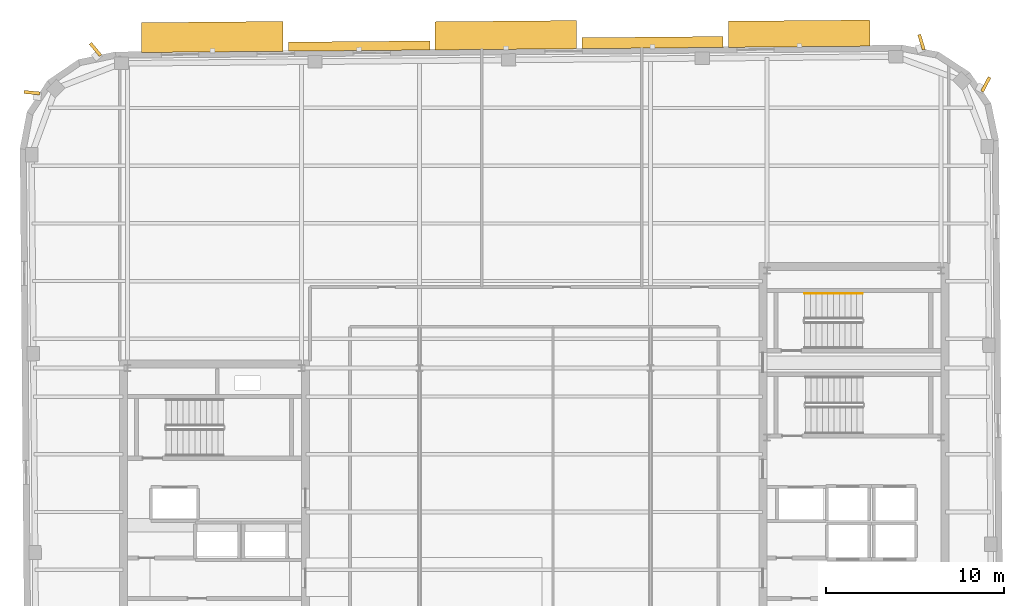
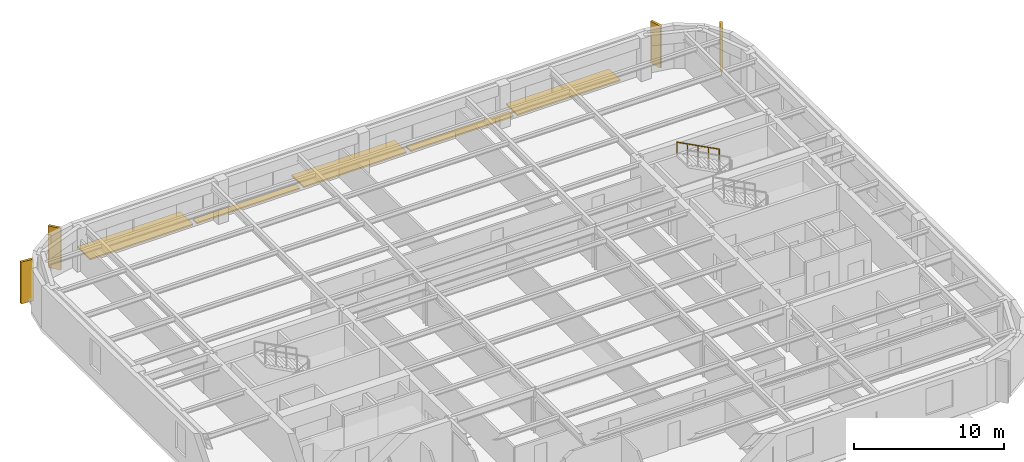
# One storey, part 15 of 15: 9 shading devices, 1 railing.
"""IFC4 building model written with IfcOpenShell, lengths in metres."""

import ifcopenshell
import ifcopenshell.guid

model = None  # the IFC model being written
_history = None  # IfcOwnerHistory: only IFC2X3 demands one
_inside = {}  # id of a spatial element -> (the spatial element, [elements in it])
_under = {}  # id of a project, library or spatial element -> (it, [spatial elements below it])
_declared = {}  # id of a project -> (the project, [libraries it declares])
_typed = {}  # id of a type object -> (the type object, [elements of that type])
_made_of = {}  # id of a material, layer set ... -> (it, [elements and type objects made of it])


def new_model(schema):
    """Start an empty IFC model of exactly this schema.

    Asked for "IFC4X3", IfcOpenShell would pick the latest addendum, in which some entities
    have other attributes; the version numbers below select the first issue.
    IFC2X3 requires an IfcOwnerHistory on every rooted entity: one is made here for all.
    """
    global model, _history
    if schema == "IFC4X3":
        model = ifcopenshell.file(schema_version=(4, 3, 0, 0))
    else:
        model = ifcopenshell.file(schema=schema)
    _inside.clear()
    _under.clear()
    _declared.clear()
    _typed.clear()
    _made_of.clear()
    _history = None
    if model.schema == "IFC2X3":
        org = make("IfcOrganization", Name="unknown")
        user = make(
            "IfcPersonAndOrganization",
            ThePerson=make("IfcPerson", FamilyName="unknown"),
            TheOrganization=org,
        )
        app = make(
            "IfcApplication",
            ApplicationDeveloper=org,
            Version="unknown",
            ApplicationFullName="unknown",
            ApplicationIdentifier="unknown",
        )
        _history = make(
            "IfcOwnerHistory",
            OwningUser=user,
            OwningApplication=app,
            ChangeAction="ADDED",
            CreationDate=0,
        )
    return model


def make(cls, **values):
    """One entity of the class cls with the attributes given. An attribute that is None is left unset."""
    return model.create_entity(
        cls, **{name: value for name, value in values.items() if value is not None}
    )


def rooted(cls, **values):
    """An entity with a GlobalId (a new one), such as an element, a storey or a relation."""
    return make(cls, GlobalId=ifcopenshell.guid.new(), OwnerHistory=_history, **values)


def si_unit(unit_type, name, prefix=None):
    """IfcSIUnit, for example si_unit("LENGTHUNIT", "METRE", prefix="MILLI")."""
    return make("IfcSIUnit", UnitType=unit_type, Prefix=prefix, Name=name)


def assignment(units):
    """IfcUnitAssignment: the units of a project."""
    return None if units is None else make("IfcUnitAssignment", Units=units)


def point(xyz):
    """IfcCartesianPoint."""
    return None if xyz is None else make("IfcCartesianPoint", Coordinates=xyz)


def direction(xyz):
    """IfcDirection."""
    return None if xyz is None else make("IfcDirection", DirectionRatios=xyz)


def frame(location, z_axis=None, x_axis=None):
    """IfcAxis2Placement3D, a coordinate frame: its origin and axes. An axis left out is left unset."""
    return make(
        "IfcAxis2Placement3D",
        Location=point(location),
        Axis=direction(z_axis),
        RefDirection=direction(x_axis),
    )


def frame_2d(location, x_axis=None):
    """IfcAxis2Placement2D, a coordinate frame in the plane: its origin and x axis."""
    return make(
        "IfcAxis2Placement2D", Location=point(location), RefDirection=direction(x_axis)
    )


def origin():
    """The frame at (0, 0, 0) with its axes left unset."""
    return frame((0.0, 0.0, 0.0))


def origin_2d():
    """The frame at (0, 0) in the plane with its x axis left unset."""
    return frame_2d((0.0, 0.0))


def place(relative_to, where):
    """IfcLocalPlacement: puts the frame where relative to a parent placement (None: the world)."""
    return make(
        "IfcLocalPlacement", PlacementRelTo=relative_to, RelativePlacement=where
    )


def context(
    kind, dimensions, precision=None, world=None, true_north=None, identifier=None
):
    """IfcGeometricRepresentationContext, for example the 3D "Model" context."""
    return make(
        "IfcGeometricRepresentationContext",
        ContextIdentifier=identifier,
        ContextType=kind,
        CoordinateSpaceDimension=dimensions,
        Precision=precision,
        WorldCoordinateSystem=world,
        TrueNorth=true_north,
    )


def subcontext(parent, identifier, kind, view, scale=None):
    """IfcGeometricRepresentationSubContext, for example "Body" below "Model"."""
    return make(
        "IfcGeometricRepresentationSubContext",
        ContextIdentifier=identifier,
        ContextType=kind,
        ParentContext=parent,
        TargetScale=scale,
        TargetView=view,
    )


def project(units=None, contexts=None):
    """IfcProject with its units and contexts."""
    return rooted(
        "IfcProject",
        Name="project",
        RepresentationContexts=contexts,
        UnitsInContext=assignment(units),
    )


def spatial(cls, under=None, at=None, **own):
    """A site, building, storey or space (cls), placed at a placement, below another one or the project."""
    s = rooted(cls, ObjectPlacement=at, **own)
    if under is not None:
        _under.setdefault(under.id(), (under, []))[1].append(s)
    return s


def profile(cls, at=None, kind="AREA", **sizes):
    """A parametric profile (cls). Its sizes go by their IFC names, for example OverallWidth=200.0."""
    return make(cls, ProfileType=kind, Position=at, **sizes)


def rectangle(**sizes):
    """IfcRectangleProfileDef."""
    return profile("IfcRectangleProfileDef", **sizes)


def circle(**sizes):
    """IfcCircleProfileDef."""
    return profile("IfcCircleProfileDef", **sizes)


def extrude(swept, where, along, depth):
    """IfcExtrudedAreaSolid: the profile swept, set in the frame where, extruded along a direction by depth."""
    return make(
        "IfcExtrudedAreaSolid",
        SweptArea=swept,
        Position=where,
        ExtrudedDirection=direction(along),
        Depth=depth,
    )


def shape(context_of_items, identifier, shape_type, items):
    """IfcShapeRepresentation: the items that make up one representation, for example the "Body"."""
    return make(
        "IfcShapeRepresentation",
        ContextOfItems=context_of_items,
        RepresentationIdentifier=identifier,
        RepresentationType=shape_type,
        Items=items,
    )


def material(Name=None, Category=None):
    """IfcMaterial."""
    return make("IfcMaterial", Name=Name, Category=Category)


def made_of(thing, what):
    """Note that an element or type object is made of a material, layer set ...; save() writes the relation."""
    if what is not None:
        _made_of.setdefault(what.id(), (what, []))[1].append(thing)
    return thing


def type_object(cls, material=None, **own):
    """A type object (cls), such as IfcWallType, which elements share."""
    return made_of(rooted(cls, **own), material)


def element(
    cls,
    number,
    at=None,
    inside=None,
    cuts=None,
    type_object=None,
    material=None,
    context=None,
    identifier="Body",
    shape_type=None,
    held_by="IfcProductDefinitionShape",
    body=None,
    shapes=None,
    **own,
):
    """One element of the class cls, such as IfcWall. Its Tag is "e" and its number.

    at: its placement. inside: the storey or other place that contains it. cuts: it is an
    opening in that element (IfcRelVoidsElement). A single representation is given by context,
    identifier, shape_type and body (its items); several are given by shapes. held_by: the class
    of the entity that holds the representations. save() writes the other relations.
    """
    e = rooted(cls, Tag="e%d" % number, ObjectPlacement=at, **own)
    if body is not None:
        shapes = [shape(context, identifier, shape_type, body)]
    if shapes is not None:
        e.Representation = make(held_by, Representations=shapes)
    if inside is not None:
        _inside.setdefault(inside.id(), (inside, []))[1].append(e)
    if cuts is not None:
        rooted(
            "IfcRelVoidsElement", RelatingBuildingElement=cuts, RelatedOpeningElement=e
        )
    if type_object is not None:
        _typed.setdefault(type_object.id(), (type_object, []))[1].append(e)
    return made_of(e, material)


def aggregate(whole, parts):
    """IfcRelAggregates: a whole, such as a stair, and the parts it consists of."""
    return rooted("IfcRelAggregates", RelatingObject=whole, RelatedObjects=parts)


def save(model, path):
    """Write the relations noted so far, then the file.

    IfcRelAggregates (storeys below a building ...), IfcRelContainedInSpatialStructure (elements
    in a storey), IfcRelDefinesByType, IfcRelAssociatesMaterial and IfcRelDeclares: one each for
    every whole, place, type object, material and project.
    """
    for whole, parts in _under.values():
        aggregate(whole, parts)
    for where, things in _inside.values():
        rooted(
            "IfcRelContainedInSpatialStructure",
            RelatedElements=things,
            RelatingStructure=where,
        )
    for kind, things in _typed.values():
        rooted("IfcRelDefinesByType", RelatedObjects=things, RelatingType=kind)
    for what, things in _made_of.values():
        rooted("IfcRelAssociatesMaterial", RelatedObjects=things, RelatingMaterial=what)
    for by, libraries in _declared.values():
        rooted("IfcRelDeclares", RelatingContext=by, RelatedDefinitions=libraries)
    model.write(path)


model = new_model("IFC4")

# Units and contexts
model_context = context("Model", 3, precision=1e-05, world=origin(), true_north=direction((0.0, 1.0)))
body_context = subcontext(model_context, "Body", "Model", "MODEL_VIEW")
ifc_project = project(units=[si_unit("LENGTHUNIT", "METRE"), si_unit("AREAUNIT", "SQUARE_METRE"), si_unit("VOLUMEUNIT", "CUBIC_METRE"), si_unit("PLANEANGLEUNIT", "RADIAN"), si_unit("MASSUNIT", "GRAM", prefix="KILO")], contexts=[model_context])

# Site, building, storey
site_placement = place(None, origin())
site = spatial("IfcSite", under=ifc_project, at=site_placement, CompositionType="ELEMENT")
building_placement = place(site_placement, origin())
building = spatial("IfcBuilding", under=site, at=building_placement, Name="Kolvaren Arena Tower", CompositionType="ELEMENT")
storey_placement = place(building_placement, frame((0.0, 0.0, 293.64990234375)))
storey = spatial("IfcBuildingStorey", under=building, at=storey_placement, Name="L72", CompositionType="ELEMENT", Elevation=293.64990234375)

# Railing
ifc_material_1 = material(Name="Brushed stainless steel handrail", Category="steel")
railing_type = type_object("IfcRailingType", Name="HRAIL-900", PredefinedType="HANDRAIL", material=ifc_material_1)
railing_placement = place(storey_placement, frame((55.919921875, 38.050048828125, 2.045654296875)))
element("IfcRailing", 1, at=railing_placement, inside=storey, type_object=railing_type, Name="L72 ST-E2 stair handrail 2", PredefinedType="HANDRAIL", context=body_context, shape_type="SweptSolid", body=[
    extrude(circle(Radius=0.02392578125, at=origin_2d()), frame((0.0, 0.0, 0.8759765625), z_axis=(-0.885020909582, 0.0, 0.465551274945), x_axis=(0.0, -1.0, 0.0)), (0.0, 0.0, 1.0), 3.660888671875),
    extrude(circle(Radius=0.02099609375, at=origin_2d()), origin(), (0.0, 0.0, 1.0), 0.851806640625),
    extrude(circle(Radius=0.02099609375, at=origin_2d()), frame((-0.81005859375, 0.0, 0.426025390625)), (0.0, 0.0, 1.0), 0.851806640625),
    extrude(circle(Radius=0.02099609375, at=origin_2d()), frame((-1.6201171875, 0.0, 0.85205078125)), (0.0, 0.0, 1.0), 0.851806640625),
    extrude(circle(Radius=0.02099609375, at=origin_2d()), frame((-2.429931640625, 0.0, 1.2783203125)), (0.0, 0.0, 1.0), 0.851806640625),
    extrude(circle(Radius=0.02099609375, at=origin_2d()), frame((-3.239990234375, 0.0, 1.704345703125)), (0.0, 0.0, 1.0), 0.851806640625),
])

# Shading devices
ifc_material_2 = material(Name="Precast architectural concrete C50/60 rib fin", Category="concrete")
shading_device_type_1 = type_object("IfcShadingDeviceType", Name="SHAD-FIN-28", PredefinedType="USERDEFINED", material=ifc_material_2)
for number, where, z_axis, x_axis, name in (
    (2, (62.875, 49.825927734375, 0.020263671875), (0.0, 0.0, 1.0), (0.465619154103, 0.884985199499, 0.0), "Precast 28-Deg Corner Rib Fin (L72)"),
    (3, (59.25439453125, 52.19970703125, 0.020263671875), (0.0, 0.0, 1.0), (-0.296541574976, 0.955019944457, 0.0), "Precast 28-Deg Corner Rib Fin (L72)"),
    (4, (12.74951171875, 51.793701171875, 0.020263671875), (0.0, 0.0, 1.0), (-0.639409480102, 0.768866384202, 0.0), "Precast 28-Deg Corner Rib Fin (L72)"),
    (5, (9.1708984375, 49.357421875, 0.020263671875), (0.0, 0.0, 1.0), (-0.995807961336, 0.091468596471, 0.0), "Precast 28-Deg Corner Rib Fin (L72)"),
):
    element("IfcShadingDevice", number, at=place(storey_placement, frame(where, z_axis=z_axis, x_axis=x_axis)), inside=storey, type_object=shading_device_type_1, Name=name, ObjectType="FIN", PredefinedType="USERDEFINED", context=body_context, shape_type="SweptSolid", body=[
        extrude(rectangle(XDim=0.89990234375, YDim=0.179931640625, at=origin_2d()), origin(), (0.0, 0.0, 1.0), 3.39990234375),
    ])
ifc_material_3 = material(Name="Architectural precast GFRC and anodised aluminium sunshade", Category="concrete")
shading_device_type_2 = type_object("IfcShadingDeviceType", Name="SHAD-SINE-A", PredefinedType="USERDEFINED", material=ifc_material_3)
shading_device_1_placement = place(storey_placement, frame((27.591796875, 51.982177734375, -0.139892578125), z_axis=(0.0, 0.0, 1.0), x_axis=(0.999961923064, 0.008726535498, 0.0)))
element("IfcShadingDevice", 6, at=shading_device_1_placement, inside=storey, type_object=shading_device_type_2, Name="Sinusoidal Slab-Edge Sunshade Louvre (L72)", ObjectType="LOUVRE", PredefinedType="USERDEFINED", context=body_context, shape_type="SweptSolid", body=[
    extrude(rectangle(XDim=7.9599609375, YDim=0.5126953125, at=origin_2d()), origin(), (0.0, 0.0, 1.0), 0.1201171875),
])
shading_device_2_placement = place(storey_placement, frame((44.110595703125, 52.178466796875, -0.139892578125), z_axis=(0.0, 0.0, 1.0), x_axis=(0.999961923064, 0.008726535498, 0.0)))
element("IfcShadingDevice", 7, at=shading_device_2_placement, inside=storey, type_object=shading_device_type_2, Name="Sinusoidal Slab-Edge Sunshade Louvre (L72)", ObjectType="LOUVRE", PredefinedType="USERDEFINED", context=body_context, shape_type="SweptSolid", body=[
    extrude(rectangle(XDim=7.9599609375, YDim=0.6171875, at=origin_2d()), origin(), (0.0, 0.0, 1.0), 0.1201171875),
])
shading_device_type_3 = type_object("IfcShadingDeviceType", Name="SHAD-SINE-B", PredefinedType="JALOUSIE", material=ifc_material_3)
shading_device_3_placement = place(storey_placement, frame((19.326904296875, 52.494140625, -0.139892578125), z_axis=(0.0, 0.0, 1.0), x_axis=(0.999961923064, 0.008726535498, 0.0)))
element("IfcShadingDevice", 8, at=shading_device_3_placement, inside=storey, type_object=shading_device_type_3, Name="Sinusoidal Slab-Edge Sunshade Louvre (L72)", PredefinedType="JALOUSIE", context=body_context, shape_type="SweptSolid", body=[
    extrude(rectangle(XDim=7.9599609375, YDim=1.680908203125, at=origin_2d()), origin(), (0.0, 0.0, 1.0), 0.1201171875),
])
shading_device_4_placement = place(storey_placement, frame((35.8466796875, 52.591552734375, -0.139892578125), z_axis=(0.0, 0.0, 1.0), x_axis=(0.999961923064, 0.008726535498, 0.0)))
element("IfcShadingDevice", 9, at=shading_device_4_placement, inside=storey, type_object=shading_device_type_3, Name="Sinusoidal Slab-Edge Sunshade Louvre (L72)", PredefinedType="JALOUSIE", context=body_context, shape_type="SweptSolid", body=[
    extrude(rectangle(XDim=7.9599609375, YDim=1.587646484375, at=origin_2d()), origin(), (0.0, 0.0, 1.0), 0.1201171875),
])
shading_device_5_placement = place(storey_placement, frame((52.36669921875, 52.678466796875, -0.139892578125), z_axis=(0.0, 0.0, 1.0), x_axis=(0.999961923064, 0.008726535498, 0.0)))
element("IfcShadingDevice", 10, at=shading_device_5_placement, inside=storey, type_object=shading_device_type_3, Name="Sinusoidal Slab-Edge Sunshade Louvre (L72)", PredefinedType="JALOUSIE", context=body_context, shape_type="SweptSolid", body=[
    extrude(rectangle(XDim=7.9599609375, YDim=1.472900390625, at=origin_2d()), origin(), (0.0, 0.0, 1.0), 0.1201171875),
])

save(model, "model.ifc")
